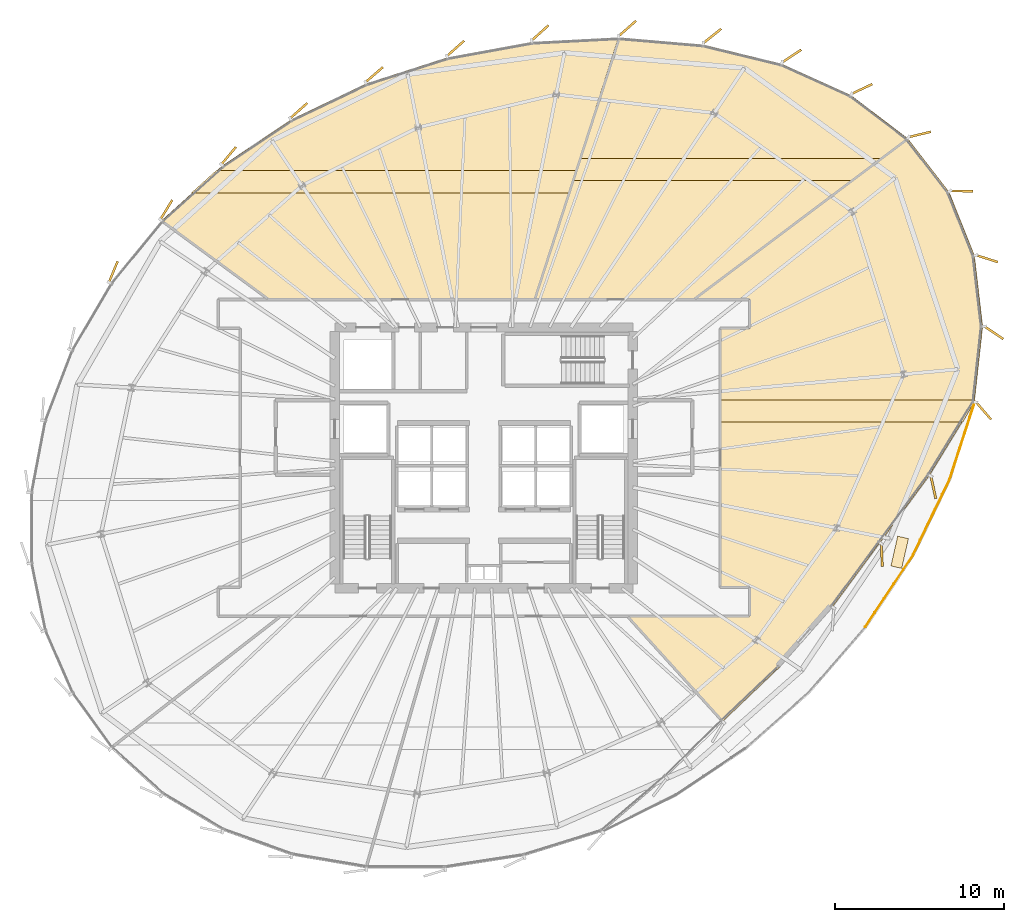
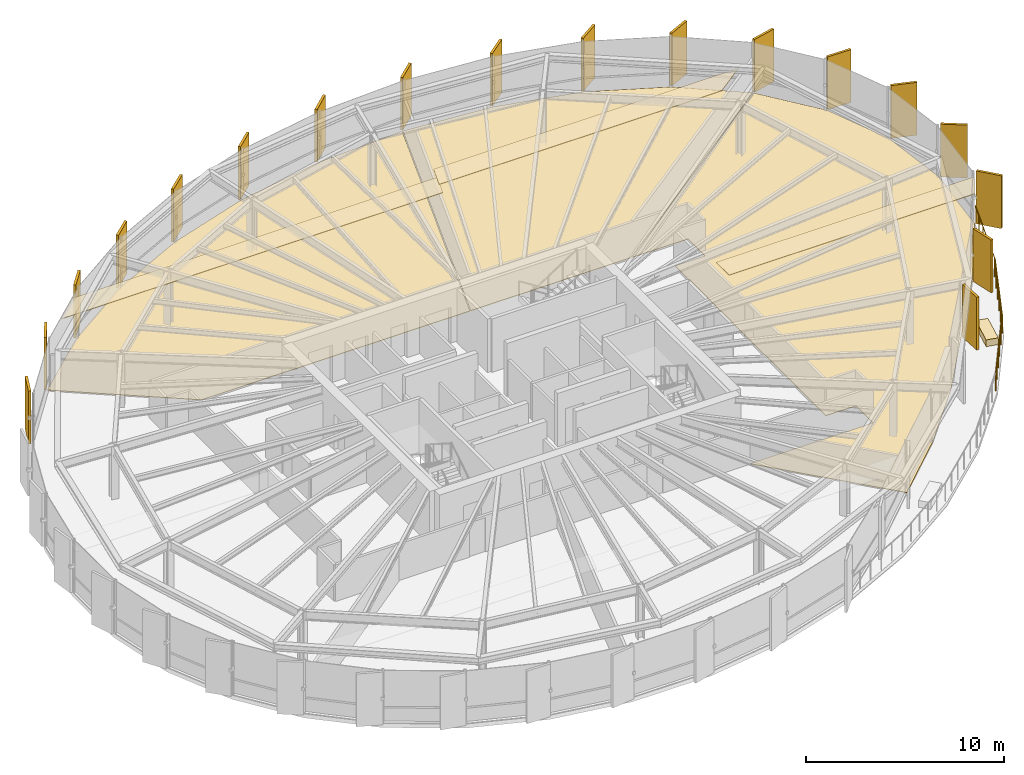
# One storey, part 34 of 34: 25 coverings, 3 railings.
"""IFC4 building model written with IfcOpenShell, lengths in metres."""

from ifc_helpers import new_model, si_unit, direction, frame, origin, origin_2d, place, context, subcontext, project, spatial, polyline, rectangle, circle, outline, extrude, source, transform, mapped, material, layer, layer_set, type_object, element, save


model = new_model("IFC4")

# Units and contexts
model_context = context("Model", 3, precision=1e-05, world=origin(), true_north=direction((0.0, 1.0)))
body_context = subcontext(model_context, "Body", "Model", "MODEL_VIEW")
ifc_project = project(units=[si_unit("LENGTHUNIT", "METRE"), si_unit("AREAUNIT", "SQUARE_METRE"), si_unit("VOLUMEUNIT", "CUBIC_METRE"), si_unit("PLANEANGLEUNIT", "RADIAN"), si_unit("MASSUNIT", "GRAM", prefix="KILO"), si_unit("THERMODYNAMICTEMPERATUREUNIT", "KELVIN")], contexts=[model_context])

# Site, building, storey
site_placement = place(None, origin())
site = spatial("IfcSite", under=ifc_project, at=site_placement, CompositionType="ELEMENT")
building_placement = place(site_placement, origin())
building = spatial("IfcBuilding", under=site, at=building_placement, Name="Kethvar Cultural Tower", CompositionType="ELEMENT")
storey_placement = place(building_placement, frame((0.0, 0.0, 153.64990234375)))
storey = spatial("IfcBuildingStorey", under=building, at=storey_placement, Name="L39", CompositionType="ELEMENT", Elevation=153.64990234375)

# Coverings
ifc_material_1 = material(Name="Acoustic Mineral Fibre Ceiling")
ifc_layer_1 = layer(ifc_material_1, 0.0400390625, Name="Acoustic Mineral Fibre Ceiling")
ifc_layer_set_1 = layer_set([ifc_layer_1], Name="Acoustic Mineral Fibre Ceiling (40 mm)")
covering_type_1 = type_object("IfcCoveringType", Name="CV-ACOUSTIC-CEIL", PredefinedType="CEILING", material=ifc_layer_set_1)
covering_1_placement = place(storey_placement, frame((0.0, 0.0, 2.780029296875)))
element("IfcCovering", 1, at=covering_1_placement, inside=storey, type_object=covering_type_1, Name="L39 Room 03 Acoustic Ceiling Panel", PredefinedType="CEILING", context=body_context, shape_type="SweptSolid", body=[
    extrude(outline(polyline([(75.8232421875, 31.21875), (75.0869140625, 29.90869140625), (60.72998046875, 29.90869140625), (60.72998046875, 31.21875), (75.8232421875, 31.21875)])), origin(), (0.0, 0.0, 1.0), 0.0400390625),
])
covering_2_placement = place(storey_placement, frame((0.0, 0.0, 2.780029296875)))
element("IfcCovering", 2, at=covering_2_placement, inside=storey, type_object=covering_type_1, Name="L39 Room 04 Acoustic Ceiling Panel", PredefinedType="CEILING", context=body_context, shape_type="SweptSolid", body=[
    extrude(outline(polyline([(68.53564453125, 44.165283203125), (52.032958984375, 44.165283203125), (52.45361328125, 45.475341796875), (70.27294921875, 45.475341796875), (68.53564453125, 44.165283203125)])), origin(), (0.0, 0.0, 1.0), 0.0400390625),
])
covering_3_placement = place(storey_placement, frame((0.0, 0.0, 2.780029296875)))
element("IfcCovering", 3, at=covering_3_placement, inside=storey, type_object=covering_type_1, Name="L39 Room 05 Acoustic Ceiling Panel", PredefinedType="CEILING", context=body_context, shape_type="SweptSolid", body=[
    extrude(outline(polyline([(51.84375, 43.4453125), (29.5224609375, 43.4453125), (30.972900390625, 44.75537109375), (52.264404296875, 44.75537109375), (51.84375, 43.4453125)])), origin(), (0.0, 0.0, 1.0), 0.0400390625),
])
ifc_material_2 = material(Name="Honed Warm Limestone", Category="masonry")
ifc_layer_2 = layer(ifc_material_2, 0.030029296875, Name="Honed Warm Limestone", Category="masonry")
ifc_layer_set_2 = layer_set([ifc_layer_2], Name="Honed Warm Limestone (30 mm)")
covering_type_2 = type_object("IfcCoveringType", Name="CV-STONE-FLOOR", PredefinedType="FLOORING", material=ifc_layer_set_2)
covering_4_placement = place(storey_placement, origin())
element("IfcCovering", 4, at=covering_4_placement, inside=storey, type_object=covering_type_2, Name="L39 Room 03 Floor Finish", PredefinedType="FLOORING", context=body_context, shape_type="SweptSolid", body=[
    extrude(outline(polyline([(76.258544921875, 35.556884765625), (75.77001953125, 31.10107421875), (73.114990234375, 26.764892578125), (67.365234375, 18.960693359375), (64.25341796875, 15.434814453125), (60.91552734375, 12.251220703125), (55.31689453125, 18.429931640625), (62.51953125, 18.446044921875), (62.51416015625, 20.1640625), (60.77001953125, 20.169921875), (60.77001953125, 35.429931640625), (62.51416015625, 35.435791015625), (62.51953125, 37.15380859375), (59.2587890625, 37.169921875), (71.830322265625, 46.64990234375), (74.283447265625, 43.476318359375), (75.772705078125, 39.7333984375), (76.258544921875, 35.556884765625)])), origin(), (0.0, 0.0, 1.0), 0.030029296875),
])
covering_5_placement = place(storey_placement, origin())
element("IfcCovering", 5, at=covering_5_placement, inside=storey, type_object=covering_type_2, Name="L39 Room 04 Floor Finish", PredefinedType="FLOORING", context=body_context, shape_type="SweptSolid", body=[
    extrude(outline(polyline([(59.74853515625, 52.18994140625), (64.3857421875, 51.056396484375), (68.472412109375, 49.20751953125), (71.801025390625, 46.677734375), (59.1923828125, 37.169921875), (49.8291015625, 37.169921875), (54.78662109375, 52.6123046875), (59.74853515625, 52.18994140625)])), origin(), (0.0, 0.0, 1.0), 0.030029296875),
])
covering_6_placement = place(storey_placement, origin())
element("IfcCovering", 6, at=covering_6_placement, inside=storey, type_object=covering_type_2, Name="L39 Room 05 Floor Finish", PredefinedType="FLOORING", context=body_context, shape_type="SweptSolid", body=[
    extrude(outline(polyline([(31.35595703125, 45.047607421875), (35.412841796875, 47.763671875), (39.855224609375, 49.8955078125), (44.6455078125, 51.43359375), (49.671875, 52.350830078125), (54.74462890625, 52.612060546875), (49.787109375, 37.169921875), (34.105712890625, 37.169921875), (27.78564453125, 41.82275390625), (31.35595703125, 45.047607421875)])), origin(), (0.0, 0.0, 1.0), 0.030029296875),
])

# Railings
ifc_material_3 = material(Name="Steel S355J2", Category="steel")
railing_type = type_object("IfcRailingType", Name="RL-EXT-GUARD-1150", PredefinedType="BALUSTRADE", material=ifc_material_3)
railing_1_placement = place(storey_placement, frame((69.318359375, 17.802978515625, 0.0)))
element("IfcRailing", 7, at=railing_1_placement, inside=storey, type_object=railing_type, Name="L39 Spiralling Terrace Balustrade 05", PredefinedType="BALUSTRADE", context=body_context, shape_type="SweptSolid", body=[
    extrude(circle(Radius=0.02392578125, at=origin_2d()), frame((0.0, 0.0, 1.1259765625), z_axis=(0.553482314804, 0.832860929087, 0.0), x_axis=(-0.832860929087, 0.553482314804, 0.0)), (0.0, 0.0, 1.0), 5.091064453125),
    extrude(circle(Radius=0.02099609375, at=origin_2d()), origin(), (0.0, 0.0, 1.0), 1.101806640625),
    extrude(circle(Radius=0.02099609375, at=origin_2d()), frame((0.5634765625, 0.84814453125, 0.0)), (0.0, 0.0, 1.0), 1.101806640625),
    extrude(circle(Radius=0.02099609375, at=origin_2d()), frame((1.127197265625, 1.696044921875, 0.0)), (0.0, 0.0, 1.0), 1.101806640625),
    extrude(circle(Radius=0.02099609375, at=origin_2d()), frame((1.690673828125, 2.544189453125, 0.0)), (0.0, 0.0, 1.0), 1.101806640625),
    extrude(circle(Radius=0.02099609375, at=origin_2d()), frame((2.25439453125, 3.39208984375, 0.0)), (0.0, 0.0, 1.0), 1.101806640625),
    extrude(circle(Radius=0.02099609375, at=origin_2d()), frame((2.81787109375, 4.240234375, 0.0)), (0.0, 0.0, 1.0), 1.101806640625),
])
railing_2_placement = place(storey_placement, frame((72.13623046875, 22.043212890625, 0.0)))
element("IfcRailing", 8, at=railing_2_placement, inside=storey, type_object=railing_type, Name="L39 Spiralling Terrace Balustrade 06", PredefinedType="BALUSTRADE", context=body_context, shape_type="SweptSolid", body=[
    extrude(circle(Radius=0.02392578125, at=origin_2d()), frame((0.0, 0.0, 1.1259765625), z_axis=(0.435172634437, 0.900347032114, 0.0), x_axis=(-0.900347032114, 0.435172634437, 0.0)), (0.0, 0.0, 1.0), 4.980224609375),
    extrude(circle(Radius=0.02099609375, at=origin_2d()), origin(), (0.0, 0.0, 1.0), 1.101806640625),
    extrude(circle(Radius=0.02099609375, at=origin_2d()), frame((0.433349609375, 0.896728515625, 0.0)), (0.0, 0.0, 1.0), 1.101806640625),
    extrude(circle(Radius=0.02099609375, at=origin_2d()), frame((0.866943359375, 1.79345703125, 0.0)), (0.0, 0.0, 1.0), 1.101806640625),
    extrude(circle(Radius=0.02099609375, at=origin_2d()), frame((1.30029296875, 2.6904296875, 0.0)), (0.0, 0.0, 1.0), 1.101806640625),
    extrude(circle(Radius=0.02099609375, at=origin_2d()), frame((1.73388671875, 3.587158203125, 0.0)), (0.0, 0.0, 1.0), 1.101806640625),
    extrude(circle(Radius=0.02099609375, at=origin_2d()), frame((2.167236328125, 4.48388671875, 0.0)), (0.0, 0.0, 1.0), 1.101806640625),
])
railing_3_placement = place(storey_placement, frame((74.303466796875, 26.527099609375, 0.0)))
element("IfcRailing", 9, at=railing_3_placement, inside=storey, type_object=railing_type, Name="L39 Spiralling Terrace Balustrade 07", PredefinedType="BALUSTRADE", context=body_context, shape_type="SweptSolid", body=[
    extrude(circle(Radius=0.02392578125, at=origin_2d()), frame((0.0, 0.0, 1.1259765625), z_axis=(0.309357311547, 0.950945873219, 0.0), x_axis=(-0.950945873219, 0.309357311547, 0.0)), (0.0, 0.0, 1.0), 4.802978515625),
    extrude(circle(Radius=0.02099609375, at=origin_2d()), origin(), (0.0, 0.0, 1.0), 1.101806640625),
    extrude(circle(Radius=0.02099609375, at=origin_2d()), frame((0.297119140625, 0.91357421875, 0.0)), (0.0, 0.0, 1.0), 1.101806640625),
    extrude(circle(Radius=0.02099609375, at=origin_2d()), frame((0.59423828125, 1.826904296875, 0.0)), (0.0, 0.0, 1.0), 1.101806640625),
    extrude(circle(Radius=0.02099609375, at=origin_2d()), frame((0.8916015625, 2.740478515625, 0.0)), (0.0, 0.0, 1.0), 1.101806640625),
    extrude(circle(Radius=0.02099609375, at=origin_2d()), frame((1.188720703125, 3.65380859375, 0.0)), (0.0, 0.0, 1.0), 1.101806640625),
    extrude(circle(Radius=0.02099609375, at=origin_2d()), frame((1.48583984375, 4.5673828125, 0.0)), (0.0, 0.0, 1.0), 1.101806640625),
])

# Coverings
ifc_material_4 = material(Name="Extruded Architectural Terracotta", Category="masonry")
ifc_layer_3 = layer(ifc_material_4, 0.419921875, Name="Extruded Architectural Terracotta", Category="masonry")
ifc_layer_set_3 = layer_set([ifc_layer_3], Name="Extruded Architectural Terracotta (420 mm)")
covering_type_3 = type_object("IfcCoveringType", Name="Terracotta Terrace Planter PLANTER-01", PredefinedType="USERDEFINED", material=ifc_layer_set_3)
shared_shape_1 = source(origin(), body_context, "Body", "SweptSolid", [
    extrude(rectangle(XDim=1.800048828125, YDim=0.64990234375, at=origin_2d()), origin(), (0.0, 0.0, 1.0), 0.419921875),
])
covering_7_placement = place(storey_placement, frame((71.356201171875, 22.22021484375, 0.000244140625), z_axis=(0.0, 0.0, 1.0), x_axis=(0.221548497619, 0.975149354306, 0.0)))
element("IfcCovering", 10, at=covering_7_placement, inside=storey, type_object=covering_type_3, Name="L39 Sky Terrace Planter Box B", ObjectType="PLANTER", PredefinedType="USERDEFINED", context=body_context, shape_type="MappedRepresentation", body=[
    mapped(shared_shape_1, transform((0.0, 0.0, 0.0), scale=1.0)),
])
ifc_layer_4 = layer(ifc_material_4, 0.135009765625, Name="Extruded Architectural Terracotta", Category="masonry")
ifc_layer_set_4 = layer_set([ifc_layer_4], Name="Extruded Architectural Terracotta (135 mm)")
covering_type_4 = type_object("IfcCoveringType", Name="Terracotta Facade Fin FIN-02", PredefinedType="CLADDING", material=ifc_layer_set_4)
shared_shape_2 = source(origin(), body_context, "Body", "SweptSolid", [
    extrude(rectangle(XDim=1.35009765625, YDim=0.135009765625, at=origin_2d()), origin(), (0.0, 0.0, 1.0), 3.260009765625),
])
for number, where, z_axis, x_axis, name in (
    (11, (75.01513671875, 43.55224609375, 0.02001953125), (0.0, 0.0, 1.0), (0.999791511852, -0.020418933095, 0.0), "L39 Vertical Terracotta Fin 1.1"),
    (12, (72.538818359375, 46.898681640625, 0.02001953125), (0.0, 0.0, 1.0), (0.97241064949, 0.233275649735, 0.0), "L39 Vertical Terracotta Fin 1.2"),
    (13, (69.126708984375, 49.584228515625, 0.02001953125), (0.0, 0.0, 1.0), (0.905420670312, 0.424515500038, 0.0), "L39 Vertical Terracotta Fin 1.3"),
    (14, (64.974609375, 51.52490234375, 0.02001953125), (0.0, 0.0, 1.0), (0.834559517796, 0.550917789925, 0.0), "L39 Vertical Terracotta Fin 1.4"),
    (15, (60.285400390625, 52.71142578125, 0.02001953125), (0.0, 0.0, 1.0), (0.780430407338, 0.625242656336, 0.0), "L39 Vertical Terracotta Fin 1.5"),
    (16, (55.27490234375, 53.15966796875, 0.02001953125), (0.0, 0.0, 1.0), (0.750457228874, 0.660919017453, 0.0), "L39 Vertical Terracotta Fin 1.6"),
    (17, (50.118896484375, 52.893798828125, 0.02001953125), (0.0, 0.0, 1.0), (0.743495079559, 0.668741404933, 0.0), "L39 Vertical Terracotta Fin 2.1"),
    (18, (45.12158203125, 51.9765625, 0.02001953125), (0.0, 0.0, 1.0), (0.748955720789, 0.662620048216, 0.0), "L39 Vertical Terracotta Fin 2.2"),
    (19, (40.323486328125, 50.42822265625, 0.02001953125), (0.0, 0.0, 1.0), (0.755739183826, 0.654872725061, 0.0), "L39 Vertical Terracotta Fin 2.3"),
    (20, (35.861572265625, 48.297607421875, 0.02001953125), (0.0, 0.0, 1.0), (0.745359656467, 0.666662570204, 0.0), "L39 Vertical Terracotta Fin 2.4"),
    (21, (31.72314453125, 45.640380859375, 0.02001953125), (0.0, 0.0, 1.0), (0.641583517377, 0.767053186051, 0.0), "L39 Vertical Terracotta Fin 2.5"),
    (22, (28.043701171875, 42.447998046875, 0.02001953125), (0.0, 0.0, 1.0), (0.52071165467, 0.853732611941, 0.0), "L39 Vertical Terracotta Fin 2.6"),
    (23, (24.912109375, 38.78369140625, 0.02001953125), (0.0, 0.0, 1.0), (0.381715738328, 0.924279771018, 0.0), "L39 Vertical Terracotta Fin 3.1"),
    (24, (70.300048828125, 22.04931640625, 0.02001953125), (0.0, 0.0, 1.0), (0.043793753509, -0.999040593346, 0.0), "L39 Vertical Terracotta Fin 6.2"),
    (25, (73.34326171875, 26.05224609375, 0.02001953125), (0.0, 0.0, 1.0), (0.212348227928, -0.977194059589, 0.0), "L39 Vertical Terracotta Fin 6.3"),
    (26, (76.310791015625, 30.575439453125, 0.02001953125), (0.0, 0.0, 1.0), (0.654608882429, -0.755967731484, 0.0), "L39 Vertical Terracotta Fin 6.4"),
    (27, (76.918212890625, 35.189697265625, 0.02001953125), (0.0, 0.0, 1.0), (0.829914927569, -0.557889964956, 0.0), "L39 Vertical Terracotta Fin 6.5"),
    (28, (76.510009765625, 39.564208984375, 0.02001953125), (0.0, 0.0, 1.0), (0.953296156722, -0.302037146025, 0.0), "L39 Vertical Terracotta Fin 6.6"),
):
    element("IfcCovering", number, at=place(storey_placement, frame(where, z_axis=z_axis, x_axis=x_axis)), inside=storey, type_object=covering_type_4, Name=name, PredefinedType="CLADDING", context=body_context, shape_type="MappedRepresentation", body=[
        mapped(shared_shape_2, transform((0.0, 0.0, 0.0), scale=1.0)),
    ])

save(model, "model.ifc")
